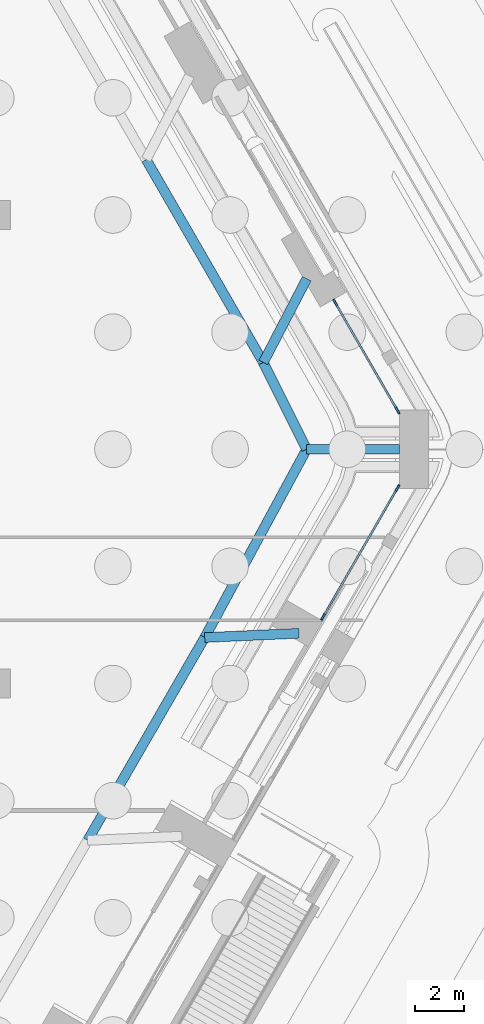
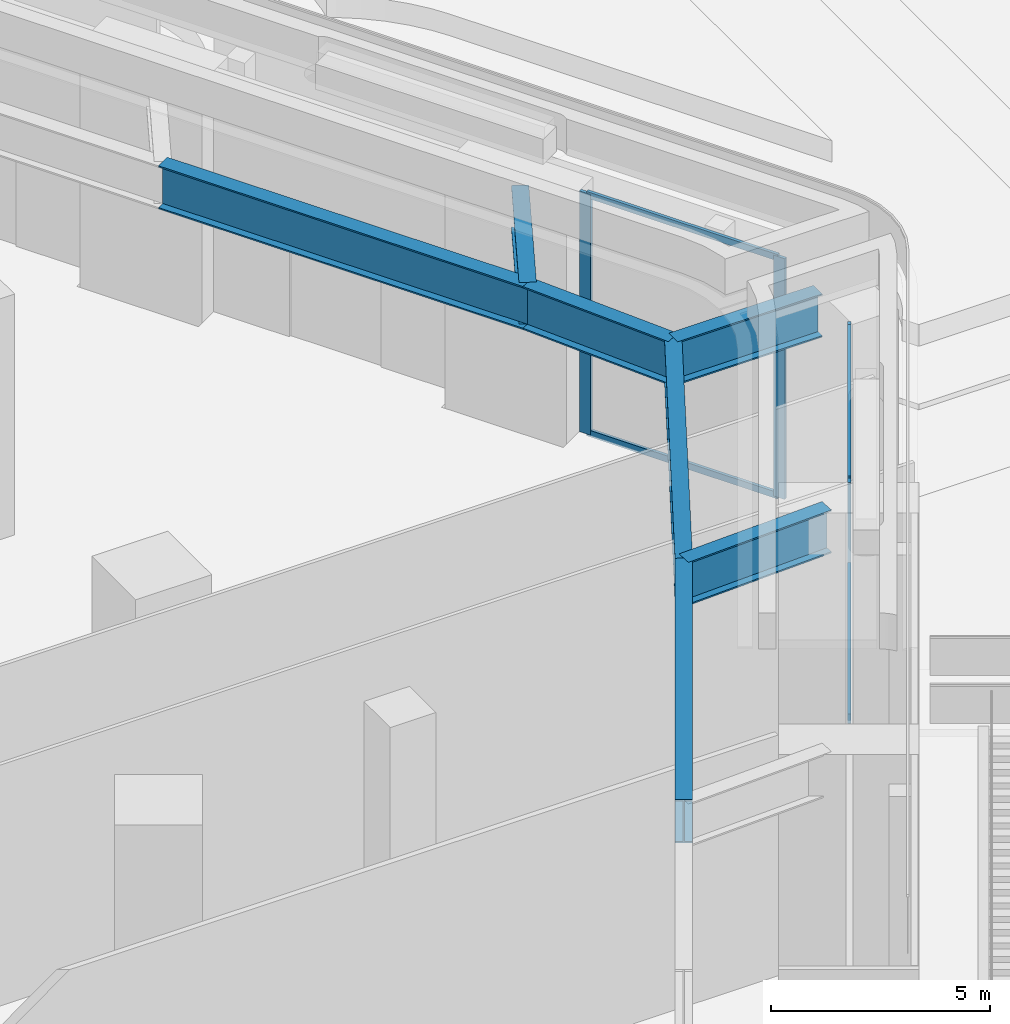
# One storey, part 6 of 68: 8 members, 7 beams, 2 elements without a shape of their own.
"""IFC4 building model written with IfcOpenShell, lengths in metres."""

from ifc_helpers import new_model, si_unit, direction, frame, origin, origin_2d, place, context, subcontext, project, spatial, rectangle, i_section, extrude, material, material_profile, profile_set, type_object, element, aggregate, save


model = new_model("IFC4")

# Units and contexts
model_context = context("Model", 3, precision=1e-05, world=origin(), true_north=direction((0.0, 1.0)))
body_context = subcontext(model_context, "Body", "Model", "MODEL_VIEW")
ifc_project = project(units=[si_unit("LENGTHUNIT", "METRE"), si_unit("AREAUNIT", "SQUARE_METRE"), si_unit("VOLUMEUNIT", "CUBIC_METRE"), si_unit("PLANEANGLEUNIT", "RADIAN"), si_unit("MASSUNIT", "GRAM", prefix="KILO")], contexts=[model_context])

# Site, building, storey
site_placement = place(None, origin())
site = spatial("IfcSite", under=ifc_project, at=site_placement, CompositionType="ELEMENT")
building_placement = place(site_placement, origin())
building = spatial("IfcBuilding", under=site, at=building_placement, Name="Kolab Exchange Tower", CompositionType="ELEMENT")
storey_placement = place(building_placement, origin())
storey = spatial("IfcBuildingStorey", under=building, at=storey_placement, Name="L00", CompositionType="ELEMENT", Elevation=0.0)

# Curtain wall, members
ifc_material_1 = material(Name="Aluminium EN AW-6063 T6", Category="aluminium")
curtain_wall_type = type_object("IfcCurtainWallType", Name="PODIUM STRUCTURAL GLAZING CURTAIN WALL", PredefinedType="NOTDEFINED", material=ifc_material_1)
curtain_wall_1_placement = place(storey_placement, origin())
curtain_wall_1 = element("IfcCurtainWall", 1, at=curtain_wall_1_placement, inside=storey, type_object=curtain_wall_type, Name="cw/L00/F2-2", PredefinedType="NOTDEFINED")
ifc_material_profile_1 = material_profile(ifc_material_1, rectangle(XDim=0.080078125, YDim=0.300048828125, at=origin_2d()), Name="RECT 80X300")
ifc_profile_set_1 = profile_set([ifc_material_profile_1], Name="Aluminium EN AW-6063 T6")
member_type_1 = type_object("IfcMemberType", Name="PODIUM STRUCTURAL GLAZING MULLION 80 X 300", PredefinedType="MULLION", material=ifc_profile_set_1)
member_1_placement = place(storey_placement, frame((52.306640625, 6.00830078125, 0.0), z_axis=(0.0, 0.0, 1.0), x_axis=(0.866025433568, 0.499999948413, 0.0)))
member_1 = element("IfcMember", 2, at=member_1_placement, type_object=member_type_1, Name="CW5 mullion 1", PredefinedType="MULLION", context=body_context, shape_type="SweptSolid", body=[
    extrude(rectangle(XDim=0.080078125, YDim=0.300048828125, at=origin_2d()), origin(), (0.0, 0.0, 1.0), 6.699951171875),
])
member_2_placement = place(storey_placement, frame((54.86083984375, 1.584228515625, 0.0), z_axis=(0.0, 0.0, 1.0), x_axis=(0.866025433568, 0.499999948413, 0.0)))
member_2 = element("IfcMember", 3, at=member_2_placement, type_object=member_type_1, Name="CW5 mullion 2", PredefinedType="MULLION", context=body_context, shape_type="SweptSolid", body=[
    extrude(rectangle(XDim=0.080078125, YDim=0.300048828125, at=origin_2d()), origin(), (0.0, 0.0, 1.0), 6.699951171875),
])

curtain_wall_2_placement = place(storey_placement, origin())
curtain_wall_2 = element("IfcCurtainWall", 4, at=curtain_wall_2_placement, inside=storey, type_object=curtain_wall_type, Name="cw/L00/F3-1", PredefinedType="NOTDEFINED")
member_3_placement = place(storey_placement, frame((54.86083984375, -1.584228515625, 0.0), z_axis=(0.0, 0.0, 1.0), x_axis=(0.866025452837, -0.499999915039, 0.0)))
member_3 = element("IfcMember", 5, at=member_3_placement, type_object=member_type_1, Name="CW5 mullion 1", PredefinedType="MULLION", context=body_context, shape_type="SweptSolid", body=[
    extrude(rectangle(XDim=0.080078125, YDim=0.300048828125, at=origin_2d()), origin(), (0.0, 0.0, 1.0), 6.699951171875),
])
member_4_placement = place(storey_placement, frame((51.806640625, -6.874267578125, 0.0), z_axis=(0.0, 0.0, 1.0), x_axis=(0.866025452837, -0.499999915039, 0.0)))
member_4 = element("IfcMember", 6, at=member_4_placement, type_object=member_type_1, Name="CW5 mullion 2", PredefinedType="MULLION", context=body_context, shape_type="SweptSolid", body=[
    extrude(rectangle(XDim=0.080078125, YDim=0.300048828125, at=origin_2d()), origin(), (0.0, 0.0, 1.0), 6.699951171875),
])

# Member
ifc_material_profile_2 = material_profile(ifc_material_1, rectangle(XDim=0.080078125, YDim=0.179931640625, at=origin_2d()), Name="RECT 80X180")
ifc_profile_set_2 = profile_set([ifc_material_profile_2], Name="Aluminium EN AW-6063 T6")
member_type_2 = type_object("IfcMemberType", Name="PODIUM STRUCTURAL GLAZING TRANSOM 80 X 180", PredefinedType="USERDEFINED", material=ifc_profile_set_2)
member_5_placement = place(storey_placement, frame((52.32666015625, 5.9736328125, 0.0400390625), z_axis=(0.49999283541, -0.866029540223, 0.0), x_axis=(0.866029540223, 0.49999283541, 0.0)))
member_5 = element("IfcMember", 7, at=member_5_placement, type_object=member_type_2, Name="CW5 transom 1.1", ObjectType="TRANSOM", PredefinedType="USERDEFINED", context=body_context, shape_type="SweptSolid", body=[
    extrude(rectangle(XDim=0.080078125, YDim=0.179931640625, at=origin_2d()), origin(), (0.0, 0.0, 1.0), 5.0283203125),
])

member_6_placement = place(storey_placement, frame((52.32666015625, 5.9736328125, 6.659912109375), z_axis=(0.49999283541, -0.866029540223, 0.0), x_axis=(0.866029540223, 0.49999283541, 0.0)))
member_6 = element("IfcMember", 8, at=member_6_placement, type_object=member_type_2, Name="CW5 transom 1.2", ObjectType="TRANSOM", PredefinedType="USERDEFINED", context=body_context, shape_type="SweptSolid", body=[
    extrude(rectangle(XDim=0.080078125, YDim=0.179931640625, at=origin_2d()), origin(), (0.0, 0.0, 1.0), 5.0283203125),
])

aggregate(curtain_wall_1, [member_1, member_2, member_5, member_6])

member_7_placement = place(storey_placement, frame((54.8408203125, -1.618896484375, 0.0400390625), z_axis=(-0.499998233552, -0.866026423641, 0.0), x_axis=(0.866026423641, -0.499998233552, 0.0)))
member_7 = element("IfcMember", 9, at=member_7_placement, type_object=member_type_2, Name="CW5 transom 1.1", ObjectType="TRANSOM", PredefinedType="USERDEFINED", context=body_context, shape_type="SweptSolid", body=[
    extrude(rectangle(XDim=0.080078125, YDim=0.179931640625, at=origin_2d()), origin(), (0.0, 0.0, 1.0), 6.0283203125),
])

member_8_placement = place(storey_placement, frame((54.8408203125, -1.618896484375, 6.659912109375), z_axis=(-0.499998233552, -0.866026423641, 0.0), x_axis=(0.866026423641, -0.499998233552, 0.0)))
member_8 = element("IfcMember", 10, at=member_8_placement, type_object=member_type_2, Name="CW5 transom 1.2", ObjectType="TRANSOM", PredefinedType="USERDEFINED", context=body_context, shape_type="SweptSolid", body=[
    extrude(rectangle(XDim=0.080078125, YDim=0.179931640625, at=origin_2d()), origin(), (0.0, 0.0, 1.0), 6.0283203125),
])

aggregate(curtain_wall_2, [member_3, member_4, member_7, member_8])

# Beams
ifc_material_2 = material(Name="Steel S355", Category="steel")
ifc_material_profile_3 = material_profile(ifc_material_2, i_section(OverallWidth=0.39990234375, OverallDepth=1.199951171875, WebThickness=0.02490234375, FlangeThickness=0.0400390625, at=origin_2d()), Name="PG1200X400")
ifc_profile_set_3 = profile_set([ifc_material_profile_3], Name="Steel S355")
beam_type = type_object("IfcBeamType", Name="TRANSFER GIRDER PG1200X400", PredefinedType="BEAM", material=ifc_profile_set_3)
beam_1_placement = place(storey_placement, frame((49.36083984375, 3.556884765625, 6.10009765625), z_axis=(0.460619274945, 0.887597816327, 0.0), x_axis=(-0.887597816327, 0.460619274945, 0.0)))
element("IfcBeam", 11, at=beam_1_placement, inside=storey, type_object=beam_type, Name="beam/L00/tg/P1-F2-11", PredefinedType="BEAM", context=body_context, shape_type="SweptSolid", body=[
    extrude(i_section(OverallWidth=0.39990234375, OverallDepth=1.199951171875, WebThickness=0.02490234375, FlangeThickness=0.0400390625, at=origin_2d()), origin(), (0.0, 0.0, 1.0), 3.8681640625),
])
beam_2_placement = place(storey_placement, frame((51.135986328125, 0.0, 6.10009765625), z_axis=(1.0, 0.0, 0.0), x_axis=(0.0, 1.0, 0.0)))
element("IfcBeam", 12, at=beam_2_placement, inside=storey, type_object=beam_type, Name="beam/L00/tg/P1-F3-01", PredefinedType="BEAM", context=body_context, shape_type="SweptSolid", body=[
    extrude(i_section(OverallWidth=0.39990234375, OverallDepth=1.199951171875, WebThickness=0.02490234375, FlangeThickness=0.0400390625, at=origin_2d()), origin(), (0.0, 0.0, 1.0), 3.809814453125),
])
beam_3_placement = place(storey_placement, frame((46.960693359375, -7.7138671875, 6.10009765625), z_axis=(0.99899260341, 0.044875141586, 0.0), x_axis=(-0.044875141586, 0.99899260341, 0.0)))
element("IfcBeam", 13, at=beam_3_placement, inside=storey, type_object=beam_type, Name="beam/L00/tg/P1-F3-03", PredefinedType="BEAM", context=body_context, shape_type="SweptSolid", body=[
    extrude(i_section(OverallWidth=0.39990234375, OverallDepth=1.199951171875, WebThickness=0.02490234375, FlangeThickness=0.0400390625, at=origin_2d()), origin(), (0.0, 0.0, 1.0), 3.8681640625),
])
beam_4_placement = place(storey_placement, frame((44.560791015625, 11.870849609375, 6.10009765625), z_axis=(0.499998358424, -0.866026351547, 0.0), x_axis=(0.866026351547, 0.499998358424, 0.0)))
element("IfcBeam", 14, at=beam_4_placement, inside=storey, type_object=beam_type, Name="beam/L00/rg/P1-F2-09", PredefinedType="BEAM", context=body_context, shape_type="SweptSolid", body=[
    extrude(i_section(OverallWidth=0.39990234375, OverallDepth=1.199951171875, WebThickness=0.02490234375, FlangeThickness=0.0400390625, at=origin_2d()), origin(), (0.0, 0.0, 1.0), 9.60009765625),
])
beam_5_placement = place(storey_placement, frame((49.36083984375, 3.556884765625, 6.10009765625), z_axis=(0.446550187972, -0.894758587342, 0.0), x_axis=(0.894758587342, 0.446550187972, 0.0)))
element("IfcBeam", 15, at=beam_5_placement, inside=storey, type_object=beam_type, Name="beam/L00/rg/P1-F2-11", PredefinedType="BEAM", context=body_context, shape_type="SweptSolid", body=[
    extrude(i_section(OverallWidth=0.39990234375, OverallDepth=1.199951171875, WebThickness=0.02490234375, FlangeThickness=0.0400390625, at=origin_2d()), origin(), (0.0, 0.0, 1.0), 3.975341796875),
])
beam_6_placement = place(storey_placement, frame((51.135986328125, 0.0, 6.10009765625), z_axis=(-0.476014128183, -0.879437632678, 0.0), x_axis=(0.879437632678, -0.476014128183, 0.0)))
element("IfcBeam", 16, at=beam_6_placement, inside=storey, type_object=beam_type, Name="beam/L00/rg/P1-F3-01", PredefinedType="BEAM", context=body_context, shape_type="SweptSolid", body=[
    extrude(i_section(OverallWidth=0.39990234375, OverallDepth=1.199951171875, WebThickness=0.02490234375, FlangeThickness=0.0400390625, at=origin_2d()), origin(), (0.0, 0.0, 1.0), 8.771484375),
])
beam_7_placement = place(storey_placement, frame((46.960693359375, -7.7138671875, 6.10009765625), z_axis=(-0.499990296761, -0.86603100588, 0.0), x_axis=(0.86603100588, -0.499990296761, 0.0)))
element("IfcBeam", 17, at=beam_7_placement, inside=storey, type_object=beam_type, Name="beam/L00/rg/P1-F3-03", PredefinedType="BEAM", context=body_context, shape_type="SweptSolid", body=[
    extrude(i_section(OverallWidth=0.39990234375, OverallDepth=1.199951171875, WebThickness=0.02490234375, FlangeThickness=0.0400390625, at=origin_2d()), origin(), (0.0, 0.0, 1.0), 9.599853515625),
])

save(model, "model.ifc")
